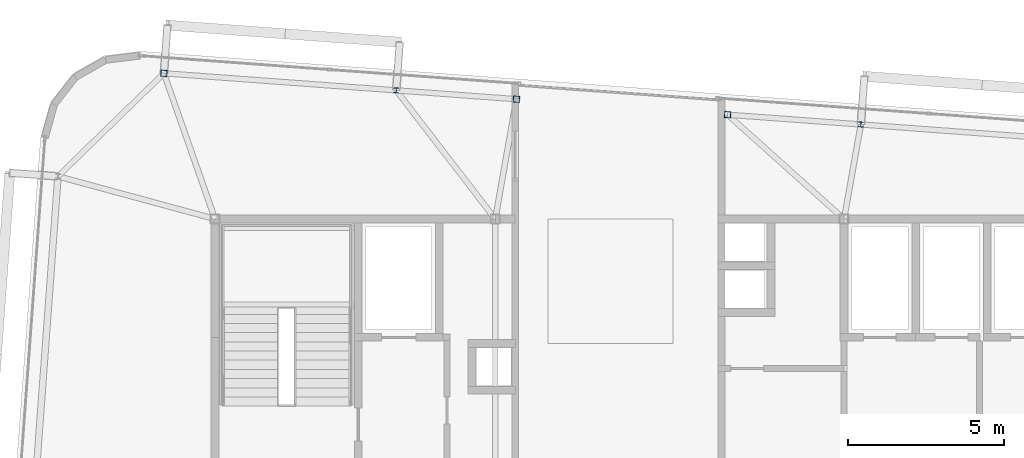
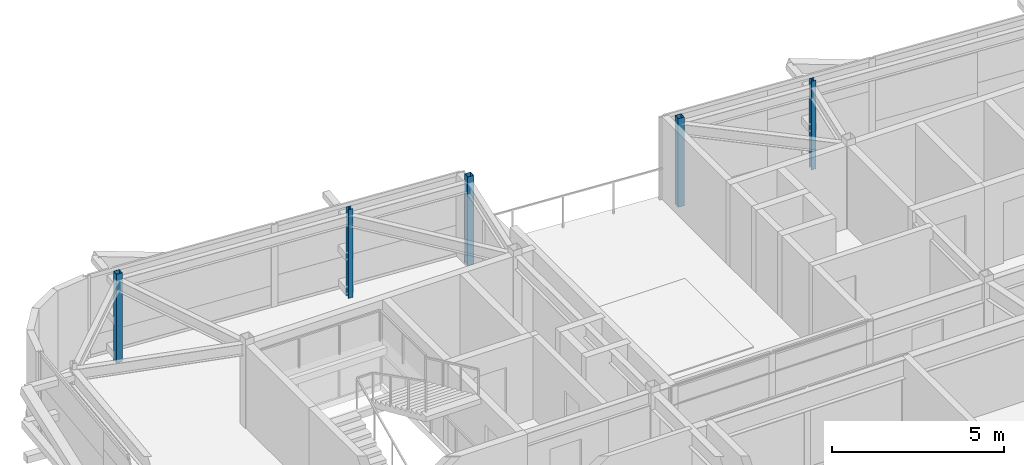
# One storey, part 7 of 36: 5 columns.
"""IFC4 building model written with IfcOpenShell, lengths in metres."""

from ifc_helpers import new_model, si_unit, direction, frame, origin, origin_2d, place, context, subcontext, project, spatial, hollow_rectangle, i_section, extrude, source, transform, mapped, material, material_profile, profile_set, type_object, element, save


model = new_model("IFC4")

# Units and contexts
model_context = context("Model", 3, precision=1e-05, world=origin(), true_north=direction((0.0, 1.0)))
body_context = subcontext(model_context, "Body", "Model", "MODEL_VIEW")
ifc_project = project(units=[si_unit("LENGTHUNIT", "METRE"), si_unit("AREAUNIT", "SQUARE_METRE"), si_unit("VOLUMEUNIT", "CUBIC_METRE"), si_unit("PLANEANGLEUNIT", "RADIAN"), si_unit("MASSUNIT", "GRAM", prefix="KILO")], contexts=[model_context])

# Site, building, storey
site_placement = place(None, origin())
site = spatial("IfcSite", under=ifc_project, at=site_placement, CompositionType="ELEMENT")
building_placement = place(site_placement, origin())
building = spatial("IfcBuilding", under=site, at=building_placement, Name="Taldren Reach Tower", CompositionType="ELEMENT")
storey_placement = place(building_placement, frame((0.0, 0.0, 227.14990234375)))
storey = spatial("IfcBuildingStorey", under=building, at=storey_placement, Name="L69", CompositionType="ELEMENT", Elevation=227.14990234375)

# Columns
ifc_material_1 = material(Name="Steel Gr 350 (C350L0)", Category="steel")
ifc_material_profile_1 = material_profile(ifc_material_1, hollow_rectangle(XDim=0.199951171875, YDim=0.199951171875, WallThickness=0.009033203125, at=origin_2d()), Name="200x200x9.0SHS")
ifc_profile_set_1 = profile_set([ifc_material_profile_1], Name="Steel Gr 350 (C350L0)")
column_type_1 = type_object("IfcColumnType", Name="COL-SHS200", PredefinedType="COLUMN", material=ifc_profile_set_1)
shared_shape_1 = source(origin(), body_context, "Body", "SweptSolid", [
    extrude(hollow_rectangle(XDim=0.199951171875, YDim=0.199951171875, WallThickness=0.009033203125, at=origin_2d()), origin(), (0.0, 0.0, 1.0), 3.150146484375),
])
for number, where, z_axis, x_axis, name in (
    (1, (17.35986328125, 36.678955078125, 0.0), (0.0, 0.0, 1.0), (0.997314477224, -0.073238197128, 0.0), "Block B5 perimeter column N1 L69"),
    (2, (28.67919921875, 35.84765625, 0.0), (0.0, 0.0, 1.0), (0.997314477224, -0.073238197128, 0.0), "Block B5 perimeter column PJN1 L69"),
    (3, (35.4609375, 35.349609375, 0.0), (0.0, 0.0, 1.0), (0.997314477224, -0.073238197128, 0.0), "Block B5 perimeter column PJN2 L69"),
):
    element("IfcColumn", number, at=place(storey_placement, frame(where, z_axis=z_axis, x_axis=x_axis)), inside=storey, type_object=column_type_1, Name=name, PredefinedType="COLUMN", context=body_context, shape_type="MappedRepresentation", body=[
        mapped(shared_shape_1, transform((0.0, 0.0, 0.0), scale=1.0)),
    ])
ifc_material_2 = material(Name="Steel Gr 350 (350PLUS)", Category="steel")
ifc_material_profile_2 = material_profile(ifc_material_2, i_section(OverallWidth=0.154052734375, OverallDepth=0.162109375, WebThickness=0.008056640625, FlangeThickness=0.011474609375, at=origin_2d()), Name="150UC37.2")
ifc_profile_set_2 = profile_set([ifc_material_profile_2], Name="Steel Gr 350 (350PLUS)")
column_type_2 = type_object("IfcColumnType", Name="COL-UC150", PredefinedType="COLUMN", material=ifc_profile_set_2)
shared_shape_2 = source(origin(), body_context, "Body", "SweptSolid", [
    extrude(i_section(OverallWidth=0.154052734375, OverallDepth=0.162109375, WebThickness=0.008056640625, FlangeThickness=0.011474609375, at=origin_2d()), origin(), (0.0, 0.0, 1.0), 3.150146484375),
])
for number, where, z_axis, x_axis, name in (
    (4, (24.819580078125, 36.131103515625, 0.0), (0.0, 0.0, 1.0), (0.997314477224, -0.073238197128, 0.0), "Block B5 perimeter column N2 L69"),
    (5, (39.739501953125, 35.035400390625, 0.0), (0.0, 0.0, 1.0), (0.997314477224, -0.073238197128, 0.0), "Block B5 perimeter column N4 L69"),
):
    element("IfcColumn", number, at=place(storey_placement, frame(where, z_axis=z_axis, x_axis=x_axis)), inside=storey, type_object=column_type_2, Name=name, PredefinedType="COLUMN", context=body_context, shape_type="MappedRepresentation", body=[
        mapped(shared_shape_2, transform((0.0, 0.0, 0.0), scale=1.0)),
    ])

save(model, "model.ifc")
